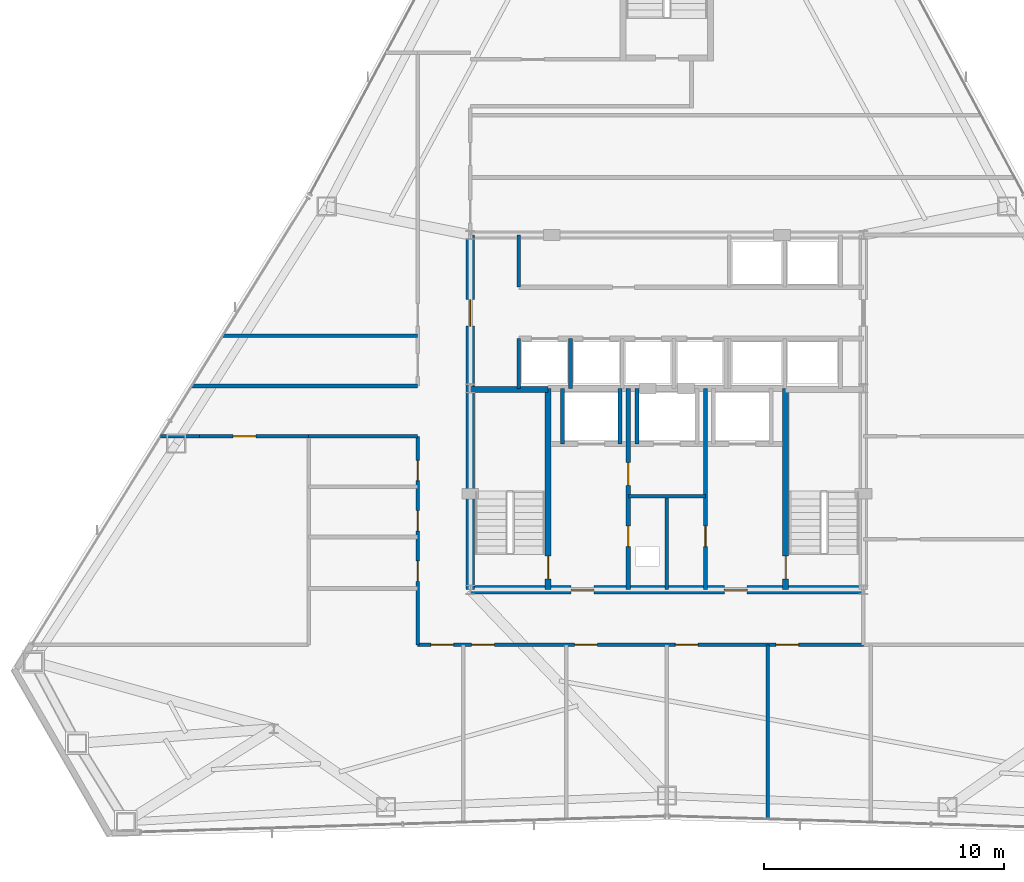
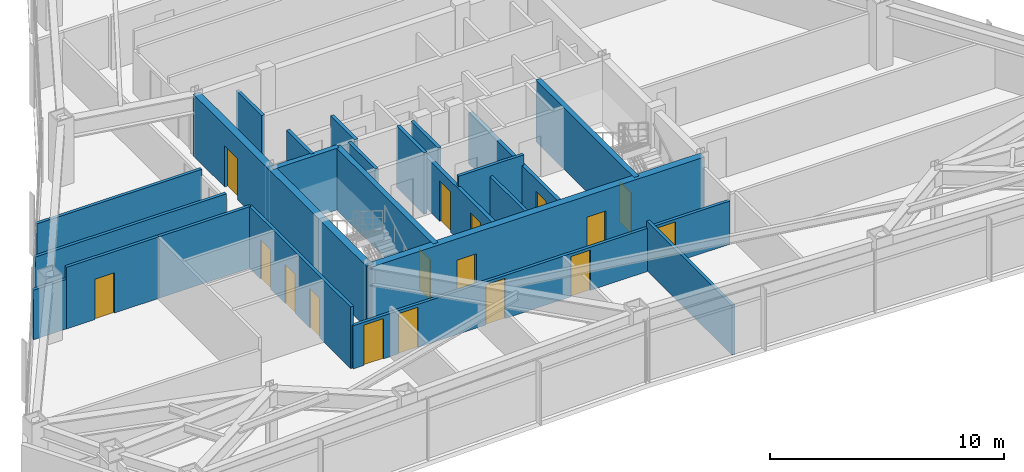
# One storey, part 10 of 13: 23 walls, 17 doors, 17 openings.
"""IFC4 building model written with IfcOpenShell, lengths in metres."""

from ifc_helpers import new_model, si_unit, direction, frame, frame_2d, origin, place, context, subcontext, project, spatial, rectangle, extrude, material, layer, layer_set, type_object, element, fill, save


model = new_model("IFC4")

# Units and contexts
model_context = context("Model", 3, precision=1e-05, world=origin(), true_north=direction((0.0, 1.0)))
body_context = subcontext(model_context, "Body", "Model", "MODEL_VIEW")
ifc_project = project(units=[si_unit("LENGTHUNIT", "METRE"), si_unit("AREAUNIT", "SQUARE_METRE"), si_unit("VOLUMEUNIT", "CUBIC_METRE"), si_unit("PLANEANGLEUNIT", "RADIAN"), si_unit("MASSUNIT", "GRAM", prefix="KILO")], contexts=[model_context])

# Site, building, storey
site_placement = place(None, origin())
site = spatial("IfcSite", under=ifc_project, at=site_placement, CompositionType="ELEMENT")
building_placement = place(site_placement, origin())
building = spatial("IfcBuilding", under=site, at=building_placement, Name="Varakhsha Concourse Tower", CompositionType="ELEMENT")
storey_placement = place(building_placement, frame((0.0, 0.0, 162.0)))
storey = spatial("IfcBuildingStorey", under=building, at=storey_placement, Name="L46", CompositionType="ELEMENT", Elevation=162.0)

# Wall, openings, doors
ifc_material_1 = material(Name="Concrete fc 65 MPa", Category="concrete")
ifc_layer_1 = layer(ifc_material_1, 0.35009765625, Name="WL-CORE-350")
ifc_layer_set_1 = layer_set([ifc_layer_1], Name="Concrete fc 65 MPa")
wall_type_1 = type_object("IfcWallType", Name="WL-CORE-350", PredefinedType="SHEAR", material=ifc_layer_set_1)
wall_1_placement = place(storey_placement, frame((31.800048828125, 16.39990234375, 0.0), z_axis=(0.0, 0.0, 1.0), x_axis=(1.0, 0.0, 0.0)))
wall_1 = element("IfcWall", 1, at=wall_1_placement, inside=storey, type_object=wall_type_1, Name="L46 Wall CWALL-S-L46", PredefinedType="SHEAR", context=body_context, shape_type="SweptSolid", body=[
    extrude(rectangle(XDim=16.39990234375, YDim=0.35009765625, at=frame_2d((8.199951171875, 0.0))), origin(), (0.0, 0.0, 1.0), 3.2099609375),
])
opening_1_placement = place(wall_1_placement, frame((4.199951171875, 0.0, 0.0)))
opening_1 = element("IfcOpeningElement", 2, at=opening_1_placement, cuts=wall_1, Name="Opening DF-05", PredefinedType="OPENING", context=body_context, shape_type="SweptSolid", body=[
    extrude(rectangle(XDim=0.949951171875, YDim=2.10009765625, at=frame_2d((0.47509765625, 1.050048828125))), frame((0.0, 0.18505859375, 0.0), z_axis=(0.0, -1.0, 0.0), x_axis=(1.0, 0.0, 0.0)), (0.0, 0.0, 1.0), 0.3701171875),
])
opening_2_placement = place(wall_1_placement, frame((10.60009765625, 0.0, 0.0)))
opening_2 = element("IfcOpeningElement", 3, at=opening_2_placement, cuts=wall_1, Name="Opening DF-05", PredefinedType="OPENING", context=body_context, shape_type="SweptSolid", body=[
    extrude(rectangle(XDim=0.949951171875, YDim=2.10009765625, at=frame_2d((0.47509765625, 1.050048828125))), frame((0.0, 0.18505859375, 0.0), z_axis=(0.0, -1.0, 0.0), x_axis=(1.0, 0.0, 0.0)), (0.0, 0.0, 1.0), 0.3701171875),
])
ifc_material_2 = material(Name="Hollow Galvanised Steel Fire Door Assembly", Category="steel")
door_type_1 = type_object("IfcDoorType", Name="DR-FD60-950", OperationType="NOTDEFINED", PredefinedType="DOOR", material=ifc_material_2)
door_1_placement = place(opening_1_placement, origin())
door_1 = element("IfcDoor", 4, at=door_1_placement, inside=storey, type_object=door_type_1, Name="L46 Firefighting Lobby West Door", OperationType="SINGLE_SWING_RIGHT", OverallHeight=2.10009765625, OverallWidth=0.949951171875, PredefinedType="DOOR", context=body_context, shape_type="SweptSolid", body=[
    extrude(rectangle(XDim=0.949951171875, YDim=2.10009765625, at=frame_2d((0.47509765625, 1.050048828125))), frame((0.0, 0.02490234375, 0.0), z_axis=(0.0, -1.0, 0.0), x_axis=(1.0, 0.0, 0.0)), (0.0, 0.0, 1.0), 0.050048828125),
])
fill(opening_1, door_1)
door_2_placement = place(opening_2_placement, origin())
door_2 = element("IfcDoor", 5, at=door_2_placement, inside=storey, type_object=door_type_1, Name="L46 Firefighting Lobby East Door", OperationType="SINGLE_SWING_LEFT", OverallHeight=2.10009765625, OverallWidth=0.949951171875, PredefinedType="DOOR", context=body_context, shape_type="SweptSolid", body=[
    extrude(rectangle(XDim=0.949951171875, YDim=2.10009765625, at=frame_2d((0.47509765625, 1.050048828125))), frame((0.0, 0.02490234375, 0.0), z_axis=(0.0, -1.0, 0.0), x_axis=(1.0, 0.0, 0.0)), (0.0, 0.0, 1.0), 0.050048828125),
])
fill(opening_2, door_2)

# Wall, opening, door
wall_2_placement = place(storey_placement, frame((31.800048828125, 16.39990234375, 0.0), z_axis=(0.0, 0.0, 1.0), x_axis=(0.0, 1.0, 0.0)))
wall_2 = element("IfcWall", 6, at=wall_2_placement, inside=storey, type_object=wall_type_1, Name="L46 Wall CWALL-W-L46", PredefinedType="SHEAR", context=body_context, shape_type="SweptSolid", body=[
    extrude(rectangle(XDim=14.800048828125, YDim=0.35009765625, at=frame_2d((7.39990234375, 0.0))), origin(), (0.0, 0.0, 1.0), 3.2099609375),
])
opening_3_placement = place(wall_2_placement, frame((11.0, 0.0, 0.0)))
opening_3 = element("IfcOpeningElement", 7, at=opening_3_placement, cuts=wall_2, Name="Opening DL-01", PredefinedType="OPENING", context=body_context, shape_type="SweptSolid", body=[
    extrude(rectangle(XDim=1.10009765625, YDim=2.14990234375, at=frame_2d((0.550048828125, 1.074951171875))), frame((0.0, 0.18505859375, 0.0), z_axis=(0.0, -1.0, 0.0), x_axis=(1.0, 0.0, 0.0)), (0.0, 0.0, 1.0), 0.3701171875),
])
ifc_material_3 = material(Name="Anodised Bronze Architectural Aluminium AA 6063-T6", Category="aluminium")
door_type_2 = type_object("IfcDoorType", Name="DR-LOB-1100", OperationType="NOTDEFINED", PredefinedType="DOOR", material=ifc_material_3)
door_3_placement = place(opening_3_placement, origin())
door_3 = element("IfcDoor", 8, at=door_3_placement, inside=storey, type_object=door_type_2, Name="L46 Lift Lobby West Concourse Door", OperationType="SINGLE_SWING_LEFT", OverallHeight=2.14990234375, OverallWidth=1.10009765625, PredefinedType="DOOR", context=body_context, shape_type="SweptSolid", body=[
    extrude(rectangle(XDim=1.10009765625, YDim=2.14990234375, at=frame_2d((0.550048828125, 1.074951171875))), frame((0.0, 0.02490234375, 0.0), z_axis=(0.0, -1.0, 0.0), x_axis=(1.0, 0.0, 0.0)), (0.0, 0.0, 1.0), 0.050048828125),
])
fill(opening_3, door_3)

# Wall, openings, doors
ifc_material_4 = material(Name="Fire-Rated Type X Gypsum Partition Assembly", Category="gypsum")
ifc_layer_2 = layer(ifc_material_4, 0.179931640625, Name="WL-FFLOB-180")
ifc_layer_set_2 = layer_set([ifc_layer_2], Name="Fire-Rated Type X Gypsum Partition Assembly")
wall_type_2 = type_object("IfcWallType", Name="WL-FFLOB-180", PredefinedType="PARTITIONING", material=ifc_layer_set_2)
wall_3_placement = place(storey_placement, frame((38.389892578125, 16.39990234375, 0.0), z_axis=(0.0, 0.0, 1.0), x_axis=(0.0, 1.0, 0.0)))
wall_3 = element("IfcWall", 9, at=wall_3_placement, inside=storey, type_object=wall_type_2, Name="L46 Wall FFW-1E-L46", PredefinedType="PARTITIONING", context=body_context, shape_type="SweptSolid", body=[
    extrude(rectangle(XDim=8.400146484375, YDim=0.179931640625, at=frame_2d((4.2001953125, 0.0))), origin(), (0.0, 0.0, 1.0), 2.6650390625),
])
opening_4_placement = place(wall_3_placement, frame((1.800048828125, 0.0, 0.0)))
opening_4 = element("IfcOpeningElement", 10, at=opening_4_placement, cuts=wall_3, Name="Opening DF-07", PredefinedType="OPENING", context=body_context, shape_type="SweptSolid", body=[
    extrude(rectangle(XDim=0.85009765625, YDim=2.050048828125, at=frame_2d((0.425048828125, 1.02490234375))), frame((0.0, 0.099853515625, 0.0), z_axis=(0.0, -1.0, 0.0), x_axis=(1.0, 0.0, 0.0)), (0.0, 0.0, 1.0), 0.199951171875),
])
opening_5_placement = place(wall_3_placement, frame((4.35009765625, 0.0, 0.0)))
opening_5 = element("IfcOpeningElement", 11, at=opening_5_placement, cuts=wall_3, Name="Opening DF-05", PredefinedType="OPENING", context=body_context, shape_type="SweptSolid", body=[
    extrude(rectangle(XDim=0.949951171875, YDim=2.10009765625, at=frame_2d((0.47509765625, 1.050048828125))), frame((0.0, 0.099853515625, 0.0), z_axis=(0.0, -1.0, 0.0), x_axis=(1.0, 0.0, 0.0)), (0.0, 0.0, 1.0), 0.199951171875),
])
door_type_3 = type_object("IfcDoorType", Name="DR-FD60-850", OperationType="NOTDEFINED", PredefinedType="DOOR", material=ifc_material_2)
door_4_placement = place(opening_4_placement, origin())
door_4 = element("IfcDoor", 12, at=door_4_placement, inside=storey, type_object=door_type_3, Name="L46 Power Metering Closet Door", OperationType="SINGLE_SWING_LEFT", OverallHeight=2.050048828125, OverallWidth=0.85009765625, PredefinedType="DOOR", context=body_context, shape_type="SweptSolid", body=[
    extrude(rectangle(XDim=0.85009765625, YDim=2.050048828125, at=frame_2d((0.425048828125, 1.02490234375))), frame((0.0, 0.02490234375, 0.0), z_axis=(0.0, -1.0, 0.0), x_axis=(1.0, 0.0, 0.0)), (0.0, 0.0, 1.0), 0.050048828125),
])
fill(opening_4, door_4)
door_5_placement = place(opening_5_placement, origin())
door_5 = element("IfcDoor", 13, at=door_5_placement, inside=storey, type_object=door_type_1, Name="L46 Service Vestibule Door", OperationType="SINGLE_SWING_RIGHT", OverallHeight=2.10009765625, OverallWidth=0.949951171875, PredefinedType="DOOR", context=body_context, shape_type="SweptSolid", body=[
    extrude(rectangle(XDim=0.949951171875, YDim=2.10009765625, at=frame_2d((0.47509765625, 1.050048828125))), frame((0.0, 0.02490234375, 0.0), z_axis=(0.0, -1.0, 0.0), x_axis=(1.0, 0.0, 0.0)), (0.0, 0.0, 1.0), 0.050048828125),
])
fill(opening_5, door_5)

# Wall, opening, door
wall_4_placement = place(storey_placement, frame((41.610107421875, 16.39990234375, 0.0), z_axis=(0.0, 0.0, 1.0), x_axis=(0.0, 1.0, 0.0)))
wall_4 = element("IfcWall", 14, at=wall_4_placement, inside=storey, type_object=wall_type_2, Name="L46 Wall FFW-2W-L46", PredefinedType="PARTITIONING", context=body_context, shape_type="SweptSolid", body=[
    extrude(rectangle(XDim=8.400146484375, YDim=0.179931640625, at=frame_2d((4.2001953125, 0.0))), origin(), (0.0, 0.0, 1.0), 2.6650390625),
])
opening_6_placement = place(wall_4_placement, frame((1.800048828125, 0.0, 0.0)))
opening_6 = element("IfcOpeningElement", 15, at=opening_6_placement, cuts=wall_4, Name="Opening DF-07", PredefinedType="OPENING", context=body_context, shape_type="SweptSolid", body=[
    extrude(rectangle(XDim=0.85009765625, YDim=2.050048828125, at=frame_2d((0.425048828125, 1.02490234375))), frame((0.0, 0.099853515625, 0.0), z_axis=(0.0, -1.0, 0.0), x_axis=(1.0, 0.0, 0.0)), (0.0, 0.0, 1.0), 0.199951171875),
])
door_6_placement = place(opening_6_placement, origin())
door_6 = element("IfcDoor", 16, at=door_6_placement, inside=storey, type_object=door_type_3, Name="L46 BMS Control Closet Door", OperationType="SINGLE_SWING_RIGHT", OverallHeight=2.050048828125, OverallWidth=0.85009765625, PredefinedType="DOOR", context=body_context, shape_type="SweptSolid", body=[
    extrude(rectangle(XDim=0.85009765625, YDim=2.050048828125, at=frame_2d((0.425048828125, 1.02490234375))), frame((0.0, 0.02490234375, 0.0), z_axis=(0.0, -1.0, 0.0), x_axis=(1.0, 0.0, 0.0)), (0.0, 0.0, 1.0), 0.050048828125),
])
fill(opening_6, door_6)

# Walls
ifc_layer_3 = layer(ifc_material_4, 0.14990234375, Name="WL-PART-150")
ifc_layer_set_3 = layer_set([ifc_layer_3], Name="Fire-Rated Type X Gypsum Partition Assembly")
wall_type_3 = type_object("IfcWallType", Name="WL-PART-150", PredefinedType="PARTITIONING", material=ifc_layer_set_3)
wall_5_placement = place(storey_placement, frame((38.389892578125, 20.300048828125, 0.0), z_axis=(0.0, 0.0, 1.0), x_axis=(1.0, 0.0, 0.0)))
element("IfcWall", 17, at=wall_5_placement, inside=storey, type_object=wall_type_3, Name="L46 Wall RSW-TH-L46", PredefinedType="PARTITIONING", context=body_context, shape_type="SweptSolid", body=[
    extrude(rectangle(XDim=3.22021484375, YDim=0.14990234375, at=frame_2d((1.610107421875, 0.0))), origin(), (0.0, 0.0, 1.0), 3.2099609375),
])
wall_6_placement = place(storey_placement, frame((40.0, 16.39990234375, 0.0), z_axis=(0.0, 0.0, 1.0), x_axis=(0.0, 1.0, 0.0)))
element("IfcWall", 18, at=wall_6_placement, inside=storey, type_object=wall_type_3, Name="L46 Wall RSW-TV-L46", PredefinedType="PARTITIONING", context=body_context, shape_type="SweptSolid", body=[
    extrude(rectangle(XDim=3.900146484375, YDim=0.14990234375, at=frame_2d((1.9501953125, 0.0))), origin(), (0.0, 0.0, 1.0), 2.6650390625),
])

# Wall, openings, doors
wall_7_placement = place(storey_placement, frame((29.60009765625, 14.10009765625, 0.0), z_axis=(0.0, 0.0, 1.0), x_axis=(1.0, 0.0, 0.0)))
wall_7 = element("IfcWall", 19, at=wall_7_placement, inside=storey, type_object=wall_type_3, Name="L46 Wall CRW-S-L46", PredefinedType="PARTITIONING", context=body_context, shape_type="SweptSolid", body=[
    extrude(rectangle(XDim=18.599853515625, YDim=0.14990234375, at=frame_2d((9.2998046875, 0.0))), origin(), (0.0, 0.0, 1.0), 2.251953125),
])
opening_7_placement = place(wall_7_placement, frame((0.550048828125, 0.0, 0.0)))
opening_7 = element("IfcOpeningElement", 20, at=opening_7_placement, cuts=wall_7, Name="Opening DF-05", PredefinedType="OPENING", context=body_context, shape_type="SweptSolid", body=[
    extrude(rectangle(XDim=0.949951171875, YDim=2.10009765625, at=frame_2d((0.47509765625, 1.050048828125))), frame((0.0, 0.0849609375, 0.0), z_axis=(0.0, -1.0, 0.0), x_axis=(1.0, 0.0, 0.0)), (0.0, 0.0, 1.0), 0.169921875),
])
opening_8_placement = place(wall_7_placement, frame((2.25, 0.0, 0.0)))
opening_8 = element("IfcOpeningElement", 21, at=opening_8_placement, cuts=wall_7, Name="Opening DF-05", PredefinedType="OPENING", context=body_context, shape_type="SweptSolid", body=[
    extrude(rectangle(XDim=0.949951171875, YDim=2.10009765625, at=frame_2d((0.47509765625, 1.050048828125))), frame((0.0, 0.0849609375, 0.0), z_axis=(0.0, -1.0, 0.0), x_axis=(1.0, 0.0, 0.0)), (0.0, 0.0, 1.0), 0.169921875),
])
opening_9_placement = place(wall_7_placement, frame((6.550048828125, 0.0, 0.0)))
opening_9 = element("IfcOpeningElement", 22, at=opening_9_placement, cuts=wall_7, Name="Opening DF-05", PredefinedType="OPENING", context=body_context, shape_type="SweptSolid", body=[
    extrude(rectangle(XDim=0.949951171875, YDim=2.10009765625, at=frame_2d((0.47509765625, 1.050048828125))), frame((0.0, 0.0849609375, 0.0), z_axis=(0.0, -1.0, 0.0), x_axis=(1.0, 0.0, 0.0)), (0.0, 0.0, 1.0), 0.169921875),
])
opening_10_placement = place(wall_7_placement, frame((10.75, 0.0, 0.0)))
opening_10 = element("IfcOpeningElement", 23, at=opening_10_placement, cuts=wall_7, Name="Opening DF-05", PredefinedType="OPENING", context=body_context, shape_type="SweptSolid", body=[
    extrude(rectangle(XDim=0.949951171875, YDim=2.10009765625, at=frame_2d((0.47509765625, 1.050048828125))), frame((0.0, 0.0849609375, 0.0), z_axis=(0.0, -1.0, 0.0), x_axis=(1.0, 0.0, 0.0)), (0.0, 0.0, 1.0), 0.169921875),
])
opening_11_placement = place(wall_7_placement, frame((14.949951171875, 0.0, 0.0)))
opening_11 = element("IfcOpeningElement", 24, at=opening_11_placement, cuts=wall_7, Name="Opening DF-05", PredefinedType="OPENING", context=body_context, shape_type="SweptSolid", body=[
    extrude(rectangle(XDim=0.949951171875, YDim=2.10009765625, at=frame_2d((0.47509765625, 1.050048828125))), frame((0.0, 0.0849609375, 0.0), z_axis=(0.0, -1.0, 0.0), x_axis=(1.0, 0.0, 0.0)), (0.0, 0.0, 1.0), 0.169921875),
])
door_7_placement = place(opening_7_placement, origin())
door_7 = element("IfcDoor", 25, at=door_7_placement, inside=storey, type_object=door_type_1, Name="L46 Project Pitch Room L46-S1 Door", OperationType="SINGLE_SWING_LEFT", OverallHeight=2.10009765625, OverallWidth=0.949951171875, PredefinedType="DOOR", context=body_context, shape_type="SweptSolid", body=[
    extrude(rectangle(XDim=0.949951171875, YDim=2.10009765625, at=frame_2d((0.47509765625, 1.050048828125))), frame((0.0, 0.02490234375, 0.0), z_axis=(0.0, -1.0, 0.0), x_axis=(1.0, 0.0, 0.0)), (0.0, 0.0, 1.0), 0.050048828125),
])
fill(opening_7, door_7)
door_8_placement = place(opening_8_placement, origin())
door_8 = element("IfcDoor", 26, at=door_8_placement, inside=storey, type_object=door_type_1, Name="L46 Hot-Desk Studio Neighborhood L46-S2 Door", OperationType="SINGLE_SWING_RIGHT", OverallHeight=2.10009765625, OverallWidth=0.949951171875, PredefinedType="DOOR", context=body_context, shape_type="SweptSolid", body=[
    extrude(rectangle(XDim=0.949951171875, YDim=2.10009765625, at=frame_2d((0.47509765625, 1.050048828125))), frame((0.0, 0.02490234375, 0.0), z_axis=(0.0, -1.0, 0.0), x_axis=(1.0, 0.0, 0.0)), (0.0, 0.0, 1.0), 0.050048828125),
])
fill(opening_8, door_8)
door_9_placement = place(opening_9_placement, origin())
door_9 = element("IfcDoor", 27, at=door_9_placement, inside=storey, type_object=door_type_1, Name="L46 Hot-Desk Studio Neighborhood L46-S3 Door", OperationType="SINGLE_SWING_LEFT", OverallHeight=2.10009765625, OverallWidth=0.949951171875, PredefinedType="DOOR", context=body_context, shape_type="SweptSolid", body=[
    extrude(rectangle(XDim=0.949951171875, YDim=2.10009765625, at=frame_2d((0.47509765625, 1.050048828125))), frame((0.0, 0.02490234375, 0.0), z_axis=(0.0, -1.0, 0.0), x_axis=(1.0, 0.0, 0.0)), (0.0, 0.0, 1.0), 0.050048828125),
])
fill(opening_9, door_9)
door_10_placement = place(opening_10_placement, origin())
door_10 = element("IfcDoor", 28, at=door_10_placement, inside=storey, type_object=door_type_1, Name="L46 Hot-Desk Studio Neighborhood L46-S4 Door", OperationType="SINGLE_SWING_RIGHT", OverallHeight=2.10009765625, OverallWidth=0.949951171875, PredefinedType="DOOR", context=body_context, shape_type="SweptSolid", body=[
    extrude(rectangle(XDim=0.949951171875, YDim=2.10009765625, at=frame_2d((0.47509765625, 1.050048828125))), frame((0.0, 0.02490234375, 0.0), z_axis=(0.0, -1.0, 0.0), x_axis=(1.0, 0.0, 0.0)), (0.0, 0.0, 1.0), 0.050048828125),
])
fill(opening_10, door_10)
door_11_placement = place(opening_11_placement, origin())
door_11 = element("IfcDoor", 29, at=door_11_placement, inside=storey, type_object=door_type_1, Name="L46 Hot-Desk Studio Neighborhood L46-S5 Door", OperationType="SINGLE_SWING_LEFT", OverallHeight=2.10009765625, OverallWidth=0.949951171875, PredefinedType="DOOR", context=body_context, shape_type="SweptSolid", body=[
    extrude(rectangle(XDim=0.949951171875, YDim=2.10009765625, at=frame_2d((0.47509765625, 1.050048828125))), frame((0.0, 0.02490234375, 0.0), z_axis=(0.0, -1.0, 0.0), x_axis=(1.0, 0.0, 0.0)), (0.0, 0.0, 1.0), 0.050048828125),
])
fill(opening_11, door_11)

wall_8_placement = place(storey_placement, frame((29.60009765625, 14.10009765625, 0.0), z_axis=(0.0, 0.0, 1.0), x_axis=(0.0, 1.0, 0.0)))
wall_8 = element("IfcWall", 30, at=wall_8_placement, inside=storey, type_object=wall_type_3, Name="L46 Wall CRW-WS-L46", PredefinedType="PARTITIONING", context=body_context, shape_type="SweptSolid", body=[
    extrude(rectangle(XDim=8.699951171875, YDim=0.14990234375, at=frame_2d((4.35009765625, 0.0))), origin(), (0.0, 0.0, 1.0), 3.2099609375),
])
opening_12_placement = place(wall_8_placement, frame((2.64990234375, 0.0, 0.0)))
opening_12 = element("IfcOpeningElement", 31, at=opening_12_placement, cuts=wall_8, Name="Opening DF-07", PredefinedType="OPENING", context=body_context, shape_type="SweptSolid", body=[
    extrude(rectangle(XDim=0.85009765625, YDim=2.050048828125, at=frame_2d((0.425048828125, 1.02490234375))), frame((0.0, 0.0849609375, 0.0), z_axis=(0.0, -1.0, 0.0), x_axis=(1.0, 0.0, 0.0)), (0.0, 0.0, 1.0), 0.169921875),
])
opening_13_placement = place(wall_8_placement, frame((4.75, 0.0, 0.0)))
opening_13 = element("IfcOpeningElement", 32, at=opening_13_placement, cuts=wall_8, Name="Opening DF-07", PredefinedType="OPENING", context=body_context, shape_type="SweptSolid", body=[
    extrude(rectangle(XDim=0.85009765625, YDim=2.050048828125, at=frame_2d((0.425048828125, 1.02490234375))), frame((0.0, 0.0849609375, 0.0), z_axis=(0.0, -1.0, 0.0), x_axis=(1.0, 0.0, 0.0)), (0.0, 0.0, 1.0), 0.169921875),
])
opening_14_placement = place(wall_8_placement, frame((6.85009765625, 0.0, 0.0)))
opening_14 = element("IfcOpeningElement", 33, at=opening_14_placement, cuts=wall_8, Name="Opening DF-07", PredefinedType="OPENING", context=body_context, shape_type="SweptSolid", body=[
    extrude(rectangle(XDim=0.85009765625, YDim=2.050048828125, at=frame_2d((0.425048828125, 1.02490234375))), frame((0.0, 0.0849609375, 0.0), z_axis=(0.0, -1.0, 0.0), x_axis=(1.0, 0.0, 0.0)), (0.0, 0.0, 1.0), 0.169921875),
])
door_12_placement = place(opening_12_placement, origin())
door_12 = element("IfcDoor", 34, at=door_12_placement, inside=storey, type_object=door_type_3, Name="L46 Men Restroom WC Door", OperationType="SINGLE_SWING_LEFT", OverallHeight=2.050048828125, OverallWidth=0.85009765625, PredefinedType="DOOR", context=body_context, shape_type="SweptSolid", body=[
    extrude(rectangle(XDim=0.85009765625, YDim=2.050048828125, at=frame_2d((0.425048828125, 1.02490234375))), frame((0.0, 0.02490234375, 0.0), z_axis=(0.0, -1.0, 0.0), x_axis=(1.0, 0.0, 0.0)), (0.0, 0.0, 1.0), 0.050048828125),
])
fill(opening_12, door_12)
door_13_placement = place(opening_13_placement, origin())
door_13 = element("IfcDoor", 35, at=door_13_placement, inside=storey, type_object=door_type_3, Name="L46 Women Restroom WC Door", OperationType="SINGLE_SWING_LEFT", OverallHeight=2.050048828125, OverallWidth=0.85009765625, PredefinedType="DOOR", context=body_context, shape_type="SweptSolid", body=[
    extrude(rectangle(XDim=0.85009765625, YDim=2.050048828125, at=frame_2d((0.425048828125, 1.02490234375))), frame((0.0, 0.02490234375, 0.0), z_axis=(0.0, -1.0, 0.0), x_axis=(1.0, 0.0, 0.0)), (0.0, 0.0, 1.0), 0.050048828125),
])
fill(opening_13, door_13)
door_14_placement = place(opening_14_placement, origin())
door_14 = element("IfcDoor", 36, at=door_14_placement, inside=storey, type_object=door_type_3, Name="L46 Accessible WC Door", OperationType="SINGLE_SWING_LEFT", OverallHeight=2.050048828125, OverallWidth=0.85009765625, PredefinedType="DOOR", context=body_context, shape_type="SweptSolid", body=[
    extrude(rectangle(XDim=0.85009765625, YDim=2.050048828125, at=frame_2d((0.425048828125, 1.02490234375))), frame((0.0, 0.02490234375, 0.0), z_axis=(0.0, -1.0, 0.0), x_axis=(1.0, 0.0, 0.0)), (0.0, 0.0, 1.0), 0.050048828125),
])
fill(opening_14, door_14)

# Walls
wall_9_placement = place(storey_placement, frame((18.875732421875, 22.800048828125, 0.0), z_axis=(0.0, 0.0, 1.0), x_axis=(1.0, 0.0, 0.0)))
element("IfcWall", 37, at=wall_9_placement, inside=storey, type_object=wall_type_3, Name="L46 Wall CRW-WWS-W-L46", PredefinedType="PARTITIONING", context=body_context, shape_type="SweptSolid", body=[
    extrude(rectangle(XDim=1.624267578125, YDim=0.14990234375, at=frame_2d((0.81201171875, 0.0))), origin(), (0.0, 0.0, 1.0), 2.589111328125),
])
wall_10_placement = place(storey_placement, frame((25.050048828125, 22.800048828125, 0.0), z_axis=(0.0, 0.0, 1.0), x_axis=(1.0, 0.0, 0.0)))
element("IfcWall", 38, at=wall_10_placement, inside=storey, type_object=wall_type_3, Name="L46 Wall CRW-WWS-E-L46", PredefinedType="PARTITIONING", context=body_context, shape_type="SweptSolid", body=[
    extrude(rectangle(XDim=4.550048828125, YDim=0.14990234375, at=frame_2d((2.27490234375, 0.0))), origin(), (0.0, 0.0, 1.0), 3.2099609375),
])
wall_11_placement = place(storey_placement, frame((20.17529296875, 24.89990234375, 0.0), z_axis=(0.0, 0.0, 1.0), x_axis=(1.0, 0.0, 0.0)))
element("IfcWall", 39, at=wall_11_placement, inside=storey, type_object=wall_type_3, Name="L46 Wall CRW-WWN-L46", PredefinedType="PARTITIONING", context=body_context, shape_type="SweptSolid", body=[
    extrude(rectangle(XDim=9.4248046875, YDim=0.14990234375, at=frame_2d((4.71240234375, 0.0))), origin(), (0.0, 0.0, 1.0), 2.589111328125),
])
wall_12_placement = place(storey_placement, frame((44.199951171875, 6.837158203125, 0.0), z_axis=(0.0, 0.0, 1.0), x_axis=(0.0, 1.0, 0.0)))
element("IfcWall", 40, at=wall_12_placement, inside=storey, type_object=wall_type_3, Name="L46 Wall ODIV-S4-L46", PredefinedType="PARTITIONING", context=body_context, shape_type="SweptSolid", body=[
    extrude(rectangle(XDim=7.262939453125, YDim=0.14990234375, at=frame_2d((3.63134765625, 0.0))), origin(), (0.0, 0.0, 1.0), 2.589111328125),
])

# Wall, opening, door
wall_13_placement = place(storey_placement, frame((20.5, 22.800048828125, 0.0), z_axis=(0.0, 0.0, 1.0), x_axis=(1.0, 0.0, 0.0)))
wall_13 = element("IfcWall", 41, at=wall_13_placement, inside=storey, type_object=wall_type_3, Name="L46 Wall CRW-WWS-DOOR-L46", PredefinedType="PARTITIONING", context=body_context, shape_type="SweptSolid", body=[
    extrude(rectangle(XDim=4.550048828125, YDim=0.14990234375, at=frame_2d((2.27490234375, 0.0))), origin(), (0.0, 0.0, 1.0), 3.2099609375),
])
opening_15_placement = place(wall_13_placement, frame((1.39990234375, 0.0, 0.0)))
opening_15 = element("IfcOpeningElement", 42, at=opening_15_placement, cuts=wall_13, Name="Opening DF-05", PredefinedType="OPENING", context=body_context, shape_type="SweptSolid", body=[
    extrude(rectangle(XDim=0.949951171875, YDim=2.10009765625, at=frame_2d((0.47509765625, 1.050048828125))), frame((0.0, 0.0849609375, 0.0), z_axis=(0.0, -1.0, 0.0), x_axis=(1.0, 0.0, 0.0)), (0.0, 0.0, 1.0), 0.169921875),
])
door_15_placement = place(opening_15_placement, origin())
door_15 = element("IfcDoor", 43, at=door_15_placement, inside=storey, type_object=door_type_1, Name="L46 Town-Hall Innovation Lounge L46-SW Door", OperationType="SINGLE_SWING_LEFT", OverallHeight=2.10009765625, OverallWidth=0.949951171875, PredefinedType="DOOR", context=body_context, shape_type="SweptSolid", body=[
    extrude(rectangle(XDim=0.949951171875, YDim=2.10009765625, at=frame_2d((0.47509765625, 1.050048828125))), frame((0.0, 0.02490234375, 0.0), z_axis=(0.0, -1.0, 0.0), x_axis=(1.0, 0.0, 0.0)), (0.0, 0.0, 1.0), 0.050048828125),
])
fill(opening_15, door_15)

# Walls
wall_14_placement = place(storey_placement, frame((21.474609375, 27.0, 0.0), z_axis=(0.0, 0.0, 1.0), x_axis=(1.0, 0.0, 0.0)))
element("IfcWall", 44, at=wall_14_placement, inside=storey, type_object=wall_type_3, Name="L46 Wall ODIV-W1-L46", PredefinedType="PARTITIONING", context=body_context, shape_type="SweptSolid", body=[
    extrude(rectangle(XDim=8.12548828125, YDim=0.14990234375, at=frame_2d((4.062744140625, 0.0))), origin(), (0.0, 0.0, 1.0), 2.589111328125),
])
ifc_layer_4 = layer(ifc_material_4, 0.199951171875, Name="WL-SHAFT-220")
ifc_layer_set_4 = layer_set([ifc_layer_4], Name="Fire-Rated Type X Gypsum Partition Assembly")
wall_type_4 = type_object("IfcWallType", Name="WL-SHAFT-220", PredefinedType="SOLIDWALL", material=ifc_layer_set_4)
for number, where, z_axis, x_axis, name in (
    (45, (35.64990234375, 22.47998046875, 0.0), (0.0, 0.0, 1.0), (0.0, 1.0, 0.0), "L46 Wall SHW-FFL-1-W-L46"),
    (46, (38.050048828125, 22.47998046875, 0.0), (0.0, 0.0, 1.0), (0.0, 1.0, 0.0), "L46 Wall SHW-FFL-1-E-L46"),
    (47, (38.75, 22.47998046875, 0.0), (0.0, 0.0, 1.0), (0.0, 1.0, 0.0), "L46 Wall SHW-SVL-1-W-L46"),
):
    element("IfcWall", number, at=place(storey_placement, frame(where, z_axis=z_axis, x_axis=x_axis)), inside=storey, type_object=wall_type_4, Name=name, PredefinedType="SOLIDWALL", context=body_context, shape_type="SweptSolid", body=[
        extrude(rectangle(XDim=2.320068359375, YDim=0.159912109375, at=frame_2d((1.16015625, 0.0))), origin(), (0.0, 0.0, 1.0), 3.2099609375),
    ])
wall_15_placement = place(storey_placement, frame((33.820068359375, 29.02001953125, 0.0), z_axis=(0.0, 0.0, 1.0), x_axis=(0.0, 1.0, 0.0)))
element("IfcWall", 48, at=wall_15_placement, inside=storey, type_object=wall_type_4, Name="L46 Wall WBOH-E1-L46", PredefinedType="SOLIDWALL", context=body_context, shape_type="SweptSolid", body=[
    extrude(rectangle(XDim=2.179931640625, YDim=0.159912109375, at=frame_2d((1.08984375, 0.0))), origin(), (0.0, 0.0, 1.0), 2.6650390625),
])
for number, where, z_axis, x_axis, name in (
    (49, (33.820068359375, 24.800048828125, 0.0), (0.0, 0.0, 1.0), (0.0, 1.0, 0.0), "L46 Wall WBOH-E2-L46"),
    (50, (35.97998046875, 24.800048828125, 0.0), (0.0, 0.0, 1.0), (0.0, 1.0, 0.0), "L46 Wall SHW-LF-P05-E-L46"),
):
    element("IfcWall", number, at=place(storey_placement, frame(where, z_axis=z_axis, x_axis=x_axis)), inside=storey, type_object=wall_type_4, Name=name, PredefinedType="SOLIDWALL", context=body_context, shape_type="SweptSolid", body=[
        extrude(rectangle(XDim=2.079833984375, YDim=0.159912109375, at=frame_2d((1.0400390625, 0.0))), origin(), (0.0, 0.0, 1.0), 3.2099609375),
    ])

# Wall, opening, door
ifc_material_5 = material(Name="Concrete fc 45 MPa", Category="concrete")
ifc_layer_5 = layer(ifc_material_5, 0.25, Name="WL-STAIR-250")
ifc_layer_set_5 = layer_set([ifc_layer_5], Name="Concrete fc 45 MPa")
wall_type_5 = type_object("IfcWallType", Name="WL-STAIR-250", PredefinedType="SHEAR", material=ifc_layer_set_5)
wall_16_placement = place(storey_placement, frame((35.044921875, 16.39990234375, 0.0), z_axis=(0.0, 0.0, 1.0), x_axis=(0.0, 1.0, 0.0)))
wall_16 = element("IfcWall", 51, at=wall_16_placement, inside=storey, type_object=wall_type_5, Name="L46 Wall SWALL-ST1-E-L46", PredefinedType="SHEAR", context=body_context, shape_type="SweptSolid", body=[
    extrude(rectangle(XDim=8.400146484375, YDim=0.25, at=frame_2d((4.2001953125, 0.0))), origin(), (0.0, 0.0, 1.0), 3.2099609375),
])
opening_16_placement = place(wall_16_placement, frame((0.449951171875, 0.0, 0.0)))
opening_16 = element("IfcOpeningElement", 52, at=opening_16_placement, cuts=wall_16, Name="Opening DF-03", PredefinedType="OPENING", context=body_context, shape_type="SweptSolid", body=[
    extrude(rectangle(XDim=0.949951171875, YDim=2.10009765625, at=frame_2d((0.47509765625, 1.050048828125))), frame((0.0, 0.135009765625, 0.0), z_axis=(0.0, -1.0, 0.0), x_axis=(1.0, 0.0, 0.0)), (0.0, 0.0, 1.0), 0.27001953125),
])
door_type_4 = type_object("IfcDoorType", Name="DR-FD90-950", OperationType="NOTDEFINED", PredefinedType="DOOR", material=ifc_material_2)
door_16_placement = place(opening_16_placement, origin())
door_16 = element("IfcDoor", 53, at=door_16_placement, inside=storey, type_object=door_type_4, Name="L46 Stair ST1 Fire Door", OperationType="SINGLE_SWING_LEFT", OverallHeight=2.10009765625, OverallWidth=0.949951171875, PredefinedType="DOOR", context=body_context, shape_type="SweptSolid", body=[
    extrude(rectangle(XDim=0.949951171875, YDim=2.10009765625, at=frame_2d((0.47509765625, 1.050048828125))), frame((0.0, 0.02490234375, 0.0), z_axis=(0.0, -1.0, 0.0), x_axis=(1.0, 0.0, 0.0)), (0.0, 0.0, 1.0), 0.050048828125),
])
fill(opening_16, door_16)

# Wall
wall_17_placement = place(storey_placement, frame((31.800048828125, 24.7548828125, 0.0), z_axis=(0.0, 0.0, 1.0), x_axis=(1.0, 0.0, 0.0)))
element("IfcWall", 54, at=wall_17_placement, inside=storey, type_object=wall_type_5, Name="L46 Wall SWALL-ST1-N-L46", PredefinedType="SHEAR", context=body_context, shape_type="SweptSolid", body=[
    extrude(rectangle(XDim=3.244873046875, YDim=0.25, at=frame_2d((1.62255859375, 0.0))), origin(), (0.0, 0.0, 1.0), 3.2099609375),
])

# Wall, opening, door
wall_18_placement = place(storey_placement, frame((44.955078125, 16.39990234375, 0.0), z_axis=(0.0, 0.0, 1.0), x_axis=(0.0, 1.0, 0.0)))
wall_18 = element("IfcWall", 55, at=wall_18_placement, inside=storey, type_object=wall_type_5, Name="L46 Wall SWALL-ST2-W-L46", PredefinedType="SHEAR", context=body_context, shape_type="SweptSolid", body=[
    extrude(rectangle(XDim=8.400146484375, YDim=0.25, at=frame_2d((4.2001953125, 0.0))), origin(), (0.0, 0.0, 1.0), 3.2099609375),
])
opening_17_placement = place(wall_18_placement, frame((0.449951171875, 0.0, 0.0)))
opening_17 = element("IfcOpeningElement", 56, at=opening_17_placement, cuts=wall_18, Name="Opening DF-03", PredefinedType="OPENING", context=body_context, shape_type="SweptSolid", body=[
    extrude(rectangle(XDim=0.949951171875, YDim=2.10009765625, at=frame_2d((0.47509765625, 1.050048828125))), frame((0.0, 0.135009765625, 0.0), z_axis=(0.0, -1.0, 0.0), x_axis=(1.0, 0.0, 0.0)), (0.0, 0.0, 1.0), 0.27001953125),
])
door_17_placement = place(opening_17_placement, origin())
door_17 = element("IfcDoor", 57, at=door_17_placement, inside=storey, type_object=door_type_4, Name="L46 Stair ST2 Fire Door", OperationType="SINGLE_SWING_RIGHT", OverallHeight=2.10009765625, OverallWidth=0.949951171875, PredefinedType="DOOR", context=body_context, shape_type="SweptSolid", body=[
    extrude(rectangle(XDim=0.949951171875, YDim=2.10009765625, at=frame_2d((0.47509765625, 1.050048828125))), frame((0.0, 0.02490234375, 0.0), z_axis=(0.0, -1.0, 0.0), x_axis=(1.0, 0.0, 0.0)), (0.0, 0.0, 1.0), 0.050048828125),
])
fill(opening_17, door_17)

save(model, "model.ifc")
